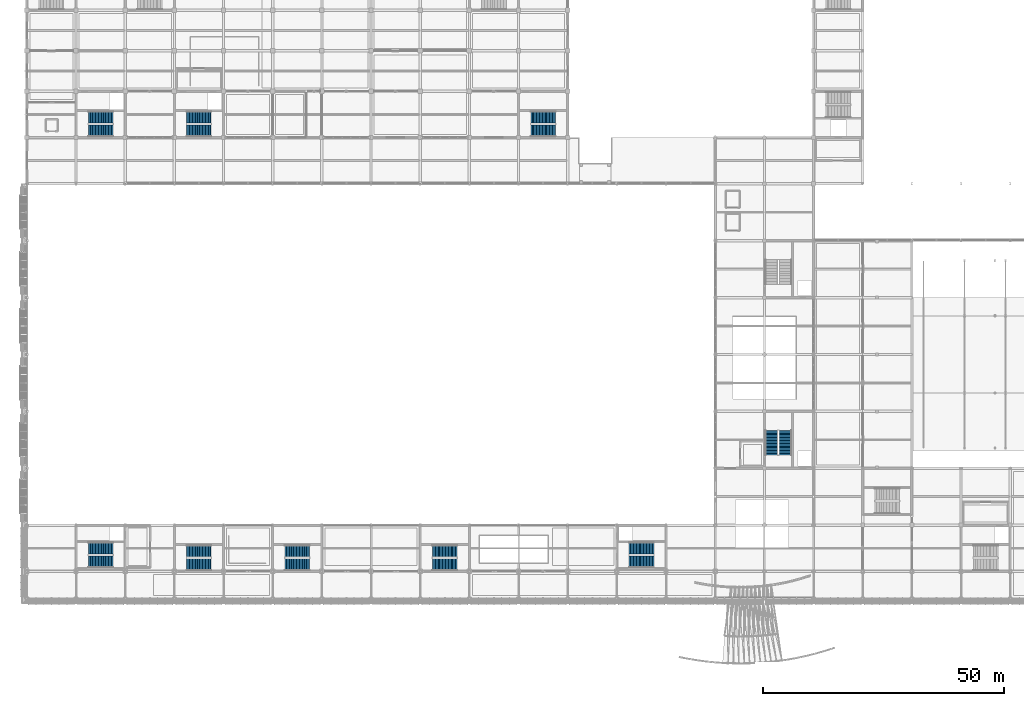
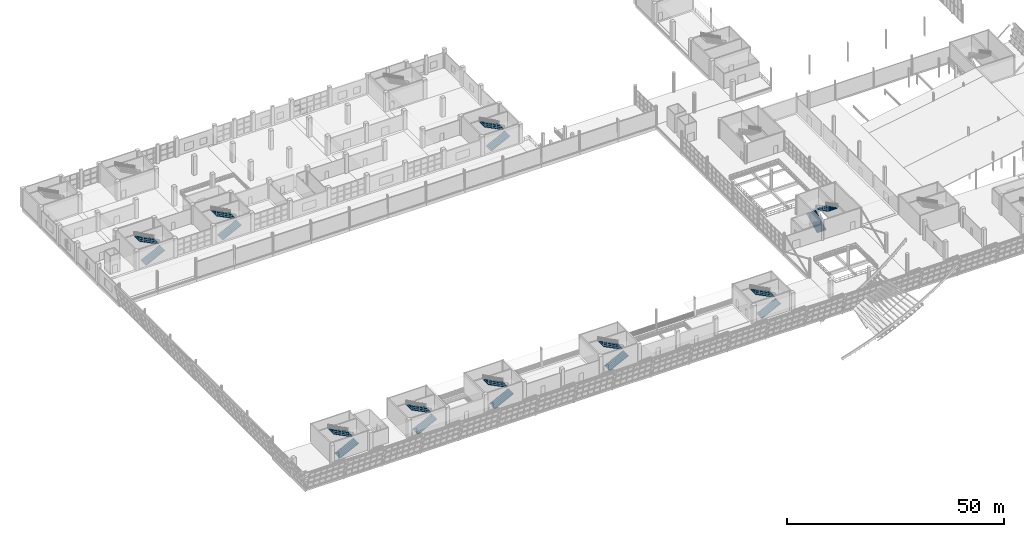
# One storey, part 139 of 175: 18 stair flights, 9 elements without a shape of their own.
"""IFC4 building model written with IfcOpenShell, lengths in metres."""

from ifc_helpers import new_model, si_unit, direction, frame, origin, place, context, subcontext, project, spatial, polyline, outline, extrude, material, type_object, element, aggregate, save


model = new_model("IFC4")

# Units and contexts
model_context = context("Model", 3, precision=1e-05, world=origin(), true_north=direction((0.0, 1.0)))
body_context = subcontext(model_context, "Body", "Model", "MODEL_VIEW")
ifc_project = project(units=[si_unit("LENGTHUNIT", "METRE"), si_unit("AREAUNIT", "SQUARE_METRE"), si_unit("VOLUMEUNIT", "CUBIC_METRE"), si_unit("PLANEANGLEUNIT", "RADIAN"), si_unit("MASSUNIT", "GRAM", prefix="KILO")], contexts=[model_context])

# Site, building, storey
site_placement = place(None, origin())
site = spatial("IfcSite", under=ifc_project, at=site_placement, CompositionType="ELEMENT")
building_placement = place(site_placement, origin())
building = spatial("IfcBuilding", under=site, at=building_placement, Name="Brelvane Convention Centre", CompositionType="ELEMENT")
storey_placement = place(building_placement, frame((0.0, 0.0, 5.39990234375)))
storey = spatial("IfcBuildingStorey", under=building, at=storey_placement, Name="L01", CompositionType="ELEMENT", Elevation=5.39990234375)

# Stair, stair flights
ifc_material_1 = material(Name="Concrete M40", Category="concrete")
stair_type_1 = type_object("IfcStairType", Name="Exit Stair ST-ASM", PredefinedType="HALF_TURN_STAIR", material=ifc_material_1)
stair_1_placement = place(storey_placement, origin())
stair_1 = element("IfcStair", 1, at=stair_1_placement, inside=storey, type_object=stair_type_1, Name="Exit Stair ST-03 (L01 to L02)", PredefinedType="HALF_TURN_STAIR")
ifc_material_2 = material(Name="Concrete M40", Category="concrete")
stair_flight_type_1 = type_object("IfcStairFlightType", Name="Stair Flight SF-A18", PredefinedType="STRAIGHT", material=ifc_material_2)
stair_flight_1_placement = place(storey_placement, frame((154.47998046875, 43.35009765625, 0.0), z_axis=(0.0, 0.0, 1.0), x_axis=(0.0, 1.0, 0.0)))
stair_flight_1 = element("IfcStairFlight", 2, at=stair_flight_1_placement, type_object=stair_flight_type_1, Name="Stair ST-03 L01 Flight 1", NumberOfRisers=18, NumberOfTreads=17, PredefinedType="STRAIGHT", RiserHeight=0.15, TreadLength=0.3, context=body_context, shape_type="SweptSolid", body=[
    extrude(outline(polyline([(0.0, 0.0), (0.0, 0.14990234375), (0.300048828125, 0.14990234375), (0.300048828125, 0.300048828125), (0.60009765625, 0.300048828125), (0.60009765625, 0.449951171875), (0.89990234375, 0.449951171875), (0.89990234375, 0.60009765625), (1.199951171875, 0.60009765625), (1.199951171875, 0.75), (1.5, 0.75), (1.5, 0.89990234375), (1.800048828125, 0.89990234375), (1.800048828125, 1.050048828125), (2.10009765625, 1.050048828125), (2.10009765625, 1.199951171875), (2.39990234375, 1.199951171875), (2.39990234375, 1.35009765625), (2.699951171875, 1.35009765625), (2.699951171875, 1.5), (3.0, 1.5), (3.0, 1.64990234375), (3.300048828125, 1.64990234375), (3.300048828125, 1.800048828125), (3.60009765625, 1.800048828125), (3.60009765625, 1.949951171875), (3.89990234375, 1.949951171875), (3.89990234375, 2.10009765625), (4.199951171875, 2.10009765625), (4.199951171875, 2.25), (4.5, 2.25), (4.5, 2.39990234375), (4.800048828125, 2.39990234375), (4.800048828125, 2.550048828125), (5.10009765625, 2.550048828125), (5.10009765625, 2.699951171875), (5.10009765625, 2.348876953125), (0.40234375, 0.0), (0.0, 0.0)])), frame((0.0, 1.239990234375, 0.0), z_axis=(0.0, -1.0, 0.0), x_axis=(1.0, 0.0, 0.0)), (0.0, 0.0, 1.0), 2.47998046875),
])
stair_flight_2_placement = place(storey_placement, frame((157.320068359375, 48.449951171875, 2.7001953125), z_axis=(0.0, 0.0, 1.0), x_axis=(0.0, -1.0, 0.0)))
stair_flight_2 = element("IfcStairFlight", 3, at=stair_flight_2_placement, type_object=stair_flight_type_1, Name="Stair ST-03 L01 Flight 2", NumberOfRisers=18, NumberOfTreads=17, PredefinedType="STRAIGHT", RiserHeight=0.15, TreadLength=0.3, context=body_context, shape_type="SweptSolid", body=[
    extrude(outline(polyline([(0.0, 0.0), (0.0, 0.14990234375), (0.300048828125, 0.14990234375), (0.300048828125, 0.300048828125), (0.60009765625, 0.300048828125), (0.60009765625, 0.449951171875), (0.89990234375, 0.449951171875), (0.89990234375, 0.60009765625), (1.199951171875, 0.60009765625), (1.199951171875, 0.75), (1.5, 0.75), (1.5, 0.89990234375), (1.800048828125, 0.89990234375), (1.800048828125, 1.050048828125), (2.10009765625, 1.050048828125), (2.10009765625, 1.199951171875), (2.39990234375, 1.199951171875), (2.39990234375, 1.35009765625), (2.699951171875, 1.35009765625), (2.699951171875, 1.5), (3.0, 1.5), (3.0, 1.64990234375), (3.300048828125, 1.64990234375), (3.300048828125, 1.800048828125), (3.60009765625, 1.800048828125), (3.60009765625, 1.949951171875), (3.89990234375, 1.949951171875), (3.89990234375, 2.10009765625), (4.199951171875, 2.10009765625), (4.199951171875, 2.25), (4.5, 2.25), (4.5, 2.39990234375), (4.800048828125, 2.39990234375), (4.800048828125, 2.550048828125), (5.10009765625, 2.550048828125), (5.10009765625, 2.699951171875), (5.10009765625, 2.348876953125), (0.40234375, 0.0), (0.0, 0.0)])), frame((0.0, 1.239990234375, 0.0), z_axis=(0.0, -1.0, 0.0), x_axis=(1.0, 0.0, 0.0)), (0.0, 0.0, 1.0), 2.47998046875),
])
aggregate(stair_1, [stair_flight_1, stair_flight_2])

ifc_material_3 = material(Name="Concrete M40", Category="concrete")
stair_type_2 = type_object("IfcStairType", Name="Exit Stair ST-CORE", PredefinedType="HALF_TURN_STAIR", material=ifc_material_3)
stair_2_placement = place(storey_placement, origin())
stair_2 = element("IfcStair", 4, at=stair_2_placement, inside=storey, type_object=stair_type_2, Name="Exit Stair ST-01 (L01 to L02)", PredefinedType="HALF_TURN_STAIR")
ifc_material_4 = material(Name="Concrete M40", Category="concrete")
stair_flight_type_2 = type_object("IfcStairFlightType", Name="Stair Flight SF-C18", PredefinedType="STRAIGHT", material=ifc_material_4)
stair_flight_3_placement = place(storey_placement, frame((12.75, 21.22998046875, 0.0), z_axis=(0.0, 0.0, 1.0), x_axis=(1.0, 0.0, 0.0)))
stair_flight_3 = element("IfcStairFlight", 5, at=stair_flight_3_placement, type_object=stair_flight_type_2, Name="Stair ST-01 L01 Flight 1", NumberOfRisers=18, NumberOfTreads=17, PredefinedType="STRAIGHT", RiserHeight=0.15, TreadLength=0.3, context=body_context, shape_type="SweptSolid", body=[
    extrude(outline(polyline([(0.0, 0.0), (0.0, 0.14990234375), (0.300048828125, 0.14990234375), (0.300048828125, 0.300048828125), (0.60009765625, 0.300048828125), (0.60009765625, 0.449951171875), (0.89990234375, 0.449951171875), (0.89990234375, 0.60009765625), (1.199951171875, 0.60009765625), (1.199951171875, 0.75), (1.5, 0.75), (1.5, 0.89990234375), (1.800048828125, 0.89990234375), (1.800048828125, 1.050048828125), (2.10009765625, 1.050048828125), (2.10009765625, 1.199951171875), (2.39990234375, 1.199951171875), (2.39990234375, 1.35009765625), (2.699951171875, 1.35009765625), (2.699951171875, 1.5), (3.0, 1.5), (3.0, 1.64990234375), (3.300048828125, 1.64990234375), (3.300048828125, 1.800048828125), (3.60009765625, 1.800048828125), (3.60009765625, 1.949951171875), (3.89990234375, 1.949951171875), (3.89990234375, 2.10009765625), (4.199951171875, 2.10009765625), (4.199951171875, 2.25), (4.5, 2.25), (4.5, 2.39990234375), (4.800048828125, 2.39990234375), (4.800048828125, 2.550048828125), (5.10009765625, 2.550048828125), (5.10009765625, 2.699951171875), (5.10009765625, 2.348876953125), (0.40234375, 0.0), (0.0, 0.0)])), frame((0.0, 1.18994140625, 0.0), z_axis=(0.0, -1.0, 0.0), x_axis=(1.0, 0.0, 0.0)), (0.0, 0.0, 1.0), 2.3798828125),
])
stair_flight_4_placement = place(storey_placement, frame((17.85009765625, 23.969970703125, 2.7001953125), z_axis=(0.0, 0.0, 1.0), x_axis=(-1.0, 0.0, 0.0)))
stair_flight_4 = element("IfcStairFlight", 6, at=stair_flight_4_placement, type_object=stair_flight_type_2, Name="Stair ST-01 L01 Flight 2", NumberOfRisers=18, NumberOfTreads=17, PredefinedType="STRAIGHT", RiserHeight=0.15, TreadLength=0.3, context=body_context, shape_type="SweptSolid", body=[
    extrude(outline(polyline([(0.0, 0.0), (0.0, 0.14990234375), (0.300048828125, 0.14990234375), (0.300048828125, 0.300048828125), (0.60009765625, 0.300048828125), (0.60009765625, 0.449951171875), (0.89990234375, 0.449951171875), (0.89990234375, 0.60009765625), (1.199951171875, 0.60009765625), (1.199951171875, 0.75), (1.5, 0.75), (1.5, 0.89990234375), (1.800048828125, 0.89990234375), (1.800048828125, 1.050048828125), (2.10009765625, 1.050048828125), (2.10009765625, 1.199951171875), (2.39990234375, 1.199951171875), (2.39990234375, 1.35009765625), (2.699951171875, 1.35009765625), (2.699951171875, 1.5), (3.0, 1.5), (3.0, 1.64990234375), (3.300048828125, 1.64990234375), (3.300048828125, 1.800048828125), (3.60009765625, 1.800048828125), (3.60009765625, 1.949951171875), (3.89990234375, 1.949951171875), (3.89990234375, 2.10009765625), (4.199951171875, 2.10009765625), (4.199951171875, 2.25), (4.5, 2.25), (4.5, 2.39990234375), (4.800048828125, 2.39990234375), (4.800048828125, 2.550048828125), (5.10009765625, 2.550048828125), (5.10009765625, 2.699951171875), (5.10009765625, 2.348876953125), (0.40234375, 0.0), (0.0, 0.0)])), frame((0.0, 1.18994140625, 0.0), z_axis=(0.0, -1.0, 0.0), x_axis=(1.0, 0.0, 0.0)), (0.0, 0.0, 1.0), 2.3798828125),
])
aggregate(stair_2, [stair_flight_3, stair_flight_4])

stair_3_placement = place(storey_placement, origin())
stair_3 = element("IfcStair", 7, at=stair_3_placement, inside=storey, type_object=stair_type_2, Name="Exit Stair ST-02 (L01 to L02)", PredefinedType="HALF_TURN_STAIR")
stair_flight_5_placement = place(storey_placement, frame((124.949951171875, 21.22998046875, 0.0), z_axis=(0.0, 0.0, 1.0), x_axis=(1.0, 0.0, 0.0)))
stair_flight_5 = element("IfcStairFlight", 8, at=stair_flight_5_placement, type_object=stair_flight_type_2, Name="Stair ST-02 L01 Flight 1", NumberOfRisers=18, NumberOfTreads=17, PredefinedType="STRAIGHT", RiserHeight=0.15, TreadLength=0.3, context=body_context, shape_type="SweptSolid", body=[
    extrude(outline(polyline([(0.0, 0.0), (0.0, 0.14990234375), (0.300048828125, 0.14990234375), (0.300048828125, 0.300048828125), (0.60009765625, 0.300048828125), (0.60009765625, 0.449951171875), (0.89990234375, 0.449951171875), (0.89990234375, 0.60009765625), (1.199951171875, 0.60009765625), (1.199951171875, 0.75), (1.5, 0.75), (1.5, 0.89990234375), (1.800048828125, 0.89990234375), (1.800048828125, 1.050048828125), (2.10009765625, 1.050048828125), (2.10009765625, 1.199951171875), (2.39990234375, 1.199951171875), (2.39990234375, 1.35009765625), (2.699951171875, 1.35009765625), (2.699951171875, 1.5), (3.0, 1.5), (3.0, 1.64990234375), (3.300048828125, 1.64990234375), (3.300048828125, 1.800048828125), (3.60009765625, 1.800048828125), (3.60009765625, 1.949951171875), (3.89990234375, 1.949951171875), (3.89990234375, 2.10009765625), (4.199951171875, 2.10009765625), (4.199951171875, 2.25), (4.5, 2.25), (4.5, 2.39990234375), (4.800048828125, 2.39990234375), (4.800048828125, 2.550048828125), (5.10009765625, 2.550048828125), (5.10009765625, 2.699951171875), (5.10009765625, 2.348876953125), (0.40234375, 0.0), (0.0, 0.0)])), frame((0.0, 1.18994140625, 0.0), z_axis=(0.0, -1.0, 0.0), x_axis=(1.0, 0.0, 0.0)), (0.0, 0.0, 1.0), 2.3798828125),
])
stair_flight_6_placement = place(storey_placement, frame((130.050048828125, 23.969970703125, 2.7001953125), z_axis=(0.0, 0.0, 1.0), x_axis=(-1.0, 0.0, 0.0)))
stair_flight_6 = element("IfcStairFlight", 9, at=stair_flight_6_placement, type_object=stair_flight_type_2, Name="Stair ST-02 L01 Flight 2", NumberOfRisers=18, NumberOfTreads=17, PredefinedType="STRAIGHT", RiserHeight=0.15, TreadLength=0.3, context=body_context, shape_type="SweptSolid", body=[
    extrude(outline(polyline([(0.0, 0.0), (0.0, 0.14990234375), (0.300048828125, 0.14990234375), (0.300048828125, 0.300048828125), (0.60009765625, 0.300048828125), (0.60009765625, 0.449951171875), (0.89990234375, 0.449951171875), (0.89990234375, 0.60009765625), (1.199951171875, 0.60009765625), (1.199951171875, 0.75), (1.5, 0.75), (1.5, 0.89990234375), (1.800048828125, 0.89990234375), (1.800048828125, 1.050048828125), (2.10009765625, 1.050048828125), (2.10009765625, 1.199951171875), (2.39990234375, 1.199951171875), (2.39990234375, 1.35009765625), (2.699951171875, 1.35009765625), (2.699951171875, 1.5), (3.0, 1.5), (3.0, 1.64990234375), (3.300048828125, 1.64990234375), (3.300048828125, 1.800048828125), (3.60009765625, 1.800048828125), (3.60009765625, 1.949951171875), (3.89990234375, 1.949951171875), (3.89990234375, 2.10009765625), (4.199951171875, 2.10009765625), (4.199951171875, 2.25), (4.5, 2.25), (4.5, 2.39990234375), (4.800048828125, 2.39990234375), (4.800048828125, 2.550048828125), (5.10009765625, 2.550048828125), (5.10009765625, 2.699951171875), (5.10009765625, 2.348876953125), (0.40234375, 0.0), (0.0, 0.0)])), frame((0.0, 1.18994140625, 0.0), z_axis=(0.0, -1.0, 0.0), x_axis=(1.0, 0.0, 0.0)), (0.0, 0.0, 1.0), 2.3798828125),
])
aggregate(stair_3, [stair_flight_5, stair_flight_6])

stair_4_placement = place(storey_placement, origin())
stair_4 = element("IfcStair", 10, at=stair_4_placement, inside=storey, type_object=stair_type_2, Name="Exit Stair ST-06 (L01 to L02)", PredefinedType="HALF_TURN_STAIR")
stair_flight_7_placement = place(storey_placement, frame((12.75, 110.6298828125, 0.0), z_axis=(0.0, 0.0, 1.0), x_axis=(1.0, 0.0, 0.0)))
stair_flight_7 = element("IfcStairFlight", 11, at=stair_flight_7_placement, type_object=stair_flight_type_2, Name="Stair ST-06 L01 Flight 1", NumberOfRisers=18, NumberOfTreads=17, PredefinedType="STRAIGHT", RiserHeight=0.15, TreadLength=0.3, context=body_context, shape_type="SweptSolid", body=[
    extrude(outline(polyline([(0.0, 0.0), (0.0, 0.14990234375), (0.300048828125, 0.14990234375), (0.300048828125, 0.300048828125), (0.60009765625, 0.300048828125), (0.60009765625, 0.449951171875), (0.89990234375, 0.449951171875), (0.89990234375, 0.60009765625), (1.199951171875, 0.60009765625), (1.199951171875, 0.75), (1.5, 0.75), (1.5, 0.89990234375), (1.800048828125, 0.89990234375), (1.800048828125, 1.050048828125), (2.10009765625, 1.050048828125), (2.10009765625, 1.199951171875), (2.39990234375, 1.199951171875), (2.39990234375, 1.35009765625), (2.699951171875, 1.35009765625), (2.699951171875, 1.5), (3.0, 1.5), (3.0, 1.64990234375), (3.300048828125, 1.64990234375), (3.300048828125, 1.800048828125), (3.60009765625, 1.800048828125), (3.60009765625, 1.949951171875), (3.89990234375, 1.949951171875), (3.89990234375, 2.10009765625), (4.199951171875, 2.10009765625), (4.199951171875, 2.25), (4.5, 2.25), (4.5, 2.39990234375), (4.800048828125, 2.39990234375), (4.800048828125, 2.550048828125), (5.10009765625, 2.550048828125), (5.10009765625, 2.699951171875), (5.10009765625, 2.348876953125), (0.40234375, 0.0), (0.0, 0.0)])), frame((0.0, 1.18994140625, 0.0), z_axis=(0.0, -1.0, 0.0), x_axis=(1.0, 0.0, 0.0)), (0.0, 0.0, 1.0), 2.3798828125),
])
stair_flight_8_placement = place(storey_placement, frame((17.85009765625, 113.3701171875, 2.7001953125), z_axis=(0.0, 0.0, 1.0), x_axis=(-1.0, 0.0, 0.0)))
stair_flight_8 = element("IfcStairFlight", 12, at=stair_flight_8_placement, type_object=stair_flight_type_2, Name="Stair ST-06 L01 Flight 2", NumberOfRisers=18, NumberOfTreads=17, PredefinedType="STRAIGHT", RiserHeight=0.15, TreadLength=0.3, context=body_context, shape_type="SweptSolid", body=[
    extrude(outline(polyline([(0.0, 0.0), (0.0, 0.14990234375), (0.300048828125, 0.14990234375), (0.300048828125, 0.300048828125), (0.60009765625, 0.300048828125), (0.60009765625, 0.449951171875), (0.89990234375, 0.449951171875), (0.89990234375, 0.60009765625), (1.199951171875, 0.60009765625), (1.199951171875, 0.75), (1.5, 0.75), (1.5, 0.89990234375), (1.800048828125, 0.89990234375), (1.800048828125, 1.050048828125), (2.10009765625, 1.050048828125), (2.10009765625, 1.199951171875), (2.39990234375, 1.199951171875), (2.39990234375, 1.35009765625), (2.699951171875, 1.35009765625), (2.699951171875, 1.5), (3.0, 1.5), (3.0, 1.64990234375), (3.300048828125, 1.64990234375), (3.300048828125, 1.800048828125), (3.60009765625, 1.800048828125), (3.60009765625, 1.949951171875), (3.89990234375, 1.949951171875), (3.89990234375, 2.10009765625), (4.199951171875, 2.10009765625), (4.199951171875, 2.25), (4.5, 2.25), (4.5, 2.39990234375), (4.800048828125, 2.39990234375), (4.800048828125, 2.550048828125), (5.10009765625, 2.550048828125), (5.10009765625, 2.699951171875), (5.10009765625, 2.348876953125), (0.40234375, 0.0), (0.0, 0.0)])), frame((0.0, 1.18994140625, 0.0), z_axis=(0.0, -1.0, 0.0), x_axis=(1.0, 0.0, 0.0)), (0.0, 0.0, 1.0), 2.3798828125),
])
aggregate(stair_4, [stair_flight_7, stair_flight_8])

stair_5_placement = place(storey_placement, origin())
stair_5 = element("IfcStair", 13, at=stair_5_placement, inside=storey, type_object=stair_type_2, Name="Exit Stair ST-07 (L01 to L02)", PredefinedType="HALF_TURN_STAIR")
stair_flight_9_placement = place(storey_placement, frame((33.14990234375, 110.6298828125, 0.0), z_axis=(0.0, 0.0, 1.0), x_axis=(1.0, 0.0, 0.0)))
stair_flight_9 = element("IfcStairFlight", 14, at=stair_flight_9_placement, type_object=stair_flight_type_2, Name="Stair ST-07 L01 Flight 1", NumberOfRisers=18, NumberOfTreads=17, PredefinedType="STRAIGHT", RiserHeight=0.15, TreadLength=0.3, context=body_context, shape_type="SweptSolid", body=[
    extrude(outline(polyline([(0.0, 0.0), (0.0, 0.14990234375), (0.300048828125, 0.14990234375), (0.300048828125, 0.300048828125), (0.60009765625, 0.300048828125), (0.60009765625, 0.449951171875), (0.89990234375, 0.449951171875), (0.89990234375, 0.60009765625), (1.199951171875, 0.60009765625), (1.199951171875, 0.75), (1.5, 0.75), (1.5, 0.89990234375), (1.800048828125, 0.89990234375), (1.800048828125, 1.050048828125), (2.10009765625, 1.050048828125), (2.10009765625, 1.199951171875), (2.39990234375, 1.199951171875), (2.39990234375, 1.35009765625), (2.699951171875, 1.35009765625), (2.699951171875, 1.5), (3.0, 1.5), (3.0, 1.64990234375), (3.300048828125, 1.64990234375), (3.300048828125, 1.800048828125), (3.60009765625, 1.800048828125), (3.60009765625, 1.949951171875), (3.89990234375, 1.949951171875), (3.89990234375, 2.10009765625), (4.199951171875, 2.10009765625), (4.199951171875, 2.25), (4.5, 2.25), (4.5, 2.39990234375), (4.800048828125, 2.39990234375), (4.800048828125, 2.550048828125), (5.10009765625, 2.550048828125), (5.10009765625, 2.699951171875), (5.10009765625, 2.348876953125), (0.40234375, 0.0), (0.0, 0.0)])), frame((0.0, 1.18994140625, 0.0), z_axis=(0.0, -1.0, 0.0), x_axis=(1.0, 0.0, 0.0)), (0.0, 0.0, 1.0), 2.3798828125),
])
stair_flight_10_placement = place(storey_placement, frame((38.25, 113.3701171875, 2.7001953125), z_axis=(0.0, 0.0, 1.0), x_axis=(-1.0, 0.0, 0.0)))
stair_flight_10 = element("IfcStairFlight", 15, at=stair_flight_10_placement, type_object=stair_flight_type_2, Name="Stair ST-07 L01 Flight 2", NumberOfRisers=18, NumberOfTreads=17, PredefinedType="STRAIGHT", RiserHeight=0.15, TreadLength=0.3, context=body_context, shape_type="SweptSolid", body=[
    extrude(outline(polyline([(0.0, 0.0), (0.0, 0.14990234375), (0.300048828125, 0.14990234375), (0.300048828125, 0.300048828125), (0.60009765625, 0.300048828125), (0.60009765625, 0.449951171875), (0.89990234375, 0.449951171875), (0.89990234375, 0.60009765625), (1.199951171875, 0.60009765625), (1.199951171875, 0.75), (1.5, 0.75), (1.5, 0.89990234375), (1.800048828125, 0.89990234375), (1.800048828125, 1.050048828125), (2.10009765625, 1.050048828125), (2.10009765625, 1.199951171875), (2.39990234375, 1.199951171875), (2.39990234375, 1.35009765625), (2.699951171875, 1.35009765625), (2.699951171875, 1.5), (3.0, 1.5), (3.0, 1.64990234375), (3.300048828125, 1.64990234375), (3.300048828125, 1.800048828125), (3.60009765625, 1.800048828125), (3.60009765625, 1.949951171875), (3.89990234375, 1.949951171875), (3.89990234375, 2.10009765625), (4.199951171875, 2.10009765625), (4.199951171875, 2.25), (4.5, 2.25), (4.5, 2.39990234375), (4.800048828125, 2.39990234375), (4.800048828125, 2.550048828125), (5.10009765625, 2.550048828125), (5.10009765625, 2.699951171875), (5.10009765625, 2.348876953125), (0.40234375, 0.0), (0.0, 0.0)])), frame((0.0, 1.18994140625, 0.0), z_axis=(0.0, -1.0, 0.0), x_axis=(1.0, 0.0, 0.0)), (0.0, 0.0, 1.0), 2.3798828125),
])
aggregate(stair_5, [stair_flight_9, stair_flight_10])

stair_6_placement = place(storey_placement, origin())
stair_6 = element("IfcStair", 16, at=stair_6_placement, inside=storey, type_object=stair_type_2, Name="Exit Stair ST-09 (L01 to L02)", PredefinedType="HALF_TURN_STAIR")
stair_flight_11_placement = place(storey_placement, frame((53.550048828125, 20.6298828125, 0.0), z_axis=(0.0, 0.0, 1.0), x_axis=(1.0, 0.0, 0.0)))
stair_flight_11 = element("IfcStairFlight", 17, at=stair_flight_11_placement, type_object=stair_flight_type_2, Name="Stair ST-09 L01 Flight 1", NumberOfRisers=18, NumberOfTreads=17, PredefinedType="STRAIGHT", RiserHeight=0.15, TreadLength=0.3, context=body_context, shape_type="SweptSolid", body=[
    extrude(outline(polyline([(0.0, 0.0), (0.0, 0.14990234375), (0.300048828125, 0.14990234375), (0.300048828125, 0.300048828125), (0.60009765625, 0.300048828125), (0.60009765625, 0.449951171875), (0.89990234375, 0.449951171875), (0.89990234375, 0.60009765625), (1.199951171875, 0.60009765625), (1.199951171875, 0.75), (1.5, 0.75), (1.5, 0.89990234375), (1.800048828125, 0.89990234375), (1.800048828125, 1.050048828125), (2.10009765625, 1.050048828125), (2.10009765625, 1.199951171875), (2.39990234375, 1.199951171875), (2.39990234375, 1.35009765625), (2.699951171875, 1.35009765625), (2.699951171875, 1.5), (3.0, 1.5), (3.0, 1.64990234375), (3.300048828125, 1.64990234375), (3.300048828125, 1.800048828125), (3.60009765625, 1.800048828125), (3.60009765625, 1.949951171875), (3.89990234375, 1.949951171875), (3.89990234375, 2.10009765625), (4.199951171875, 2.10009765625), (4.199951171875, 2.25), (4.5, 2.25), (4.5, 2.39990234375), (4.800048828125, 2.39990234375), (4.800048828125, 2.550048828125), (5.10009765625, 2.550048828125), (5.10009765625, 2.699951171875), (5.10009765625, 2.348876953125), (0.40234375, 0.0), (0.0, 0.0)])), frame((0.0, 1.18994140625, 0.0), z_axis=(0.0, -1.0, 0.0), x_axis=(1.0, 0.0, 0.0)), (0.0, 0.0, 1.0), 2.3798828125),
])
stair_flight_12_placement = place(storey_placement, frame((58.64990234375, 23.3701171875, 2.7001953125), z_axis=(0.0, 0.0, 1.0), x_axis=(-1.0, 0.0, 0.0)))
stair_flight_12 = element("IfcStairFlight", 18, at=stair_flight_12_placement, type_object=stair_flight_type_2, Name="Stair ST-09 L01 Flight 2", NumberOfRisers=18, NumberOfTreads=17, PredefinedType="STRAIGHT", RiserHeight=0.15, TreadLength=0.3, context=body_context, shape_type="SweptSolid", body=[
    extrude(outline(polyline([(0.0, 0.0), (0.0, 0.14990234375), (0.300048828125, 0.14990234375), (0.300048828125, 0.300048828125), (0.60009765625, 0.300048828125), (0.60009765625, 0.449951171875), (0.89990234375, 0.449951171875), (0.89990234375, 0.60009765625), (1.199951171875, 0.60009765625), (1.199951171875, 0.75), (1.5, 0.75), (1.5, 0.89990234375), (1.800048828125, 0.89990234375), (1.800048828125, 1.050048828125), (2.10009765625, 1.050048828125), (2.10009765625, 1.199951171875), (2.39990234375, 1.199951171875), (2.39990234375, 1.35009765625), (2.699951171875, 1.35009765625), (2.699951171875, 1.5), (3.0, 1.5), (3.0, 1.64990234375), (3.300048828125, 1.64990234375), (3.300048828125, 1.800048828125), (3.60009765625, 1.800048828125), (3.60009765625, 1.949951171875), (3.89990234375, 1.949951171875), (3.89990234375, 2.10009765625), (4.199951171875, 2.10009765625), (4.199951171875, 2.25), (4.5, 2.25), (4.5, 2.39990234375), (4.800048828125, 2.39990234375), (4.800048828125, 2.550048828125), (5.10009765625, 2.550048828125), (5.10009765625, 2.699951171875), (5.10009765625, 2.348876953125), (0.40234375, 0.0), (0.0, 0.0)])), frame((0.0, 1.18994140625, 0.0), z_axis=(0.0, -1.0, 0.0), x_axis=(1.0, 0.0, 0.0)), (0.0, 0.0, 1.0), 2.3798828125),
])
aggregate(stair_6, [stair_flight_11, stair_flight_12])

stair_7_placement = place(storey_placement, origin())
stair_7 = element("IfcStair", 19, at=stair_7_placement, inside=storey, type_object=stair_type_2, Name="Exit Stair ST-10 (L01 to L02)", PredefinedType="HALF_TURN_STAIR")
stair_flight_13_placement = place(storey_placement, frame((84.14990234375, 20.6298828125, 0.0), z_axis=(0.0, 0.0, 1.0), x_axis=(1.0, 0.0, 0.0)))
stair_flight_13 = element("IfcStairFlight", 20, at=stair_flight_13_placement, type_object=stair_flight_type_2, Name="Stair ST-10 L01 Flight 1", NumberOfRisers=18, NumberOfTreads=17, PredefinedType="STRAIGHT", RiserHeight=0.15, TreadLength=0.3, context=body_context, shape_type="SweptSolid", body=[
    extrude(outline(polyline([(0.0, 0.0), (0.0, 0.14990234375), (0.300048828125, 0.14990234375), (0.300048828125, 0.300048828125), (0.60009765625, 0.300048828125), (0.60009765625, 0.449951171875), (0.89990234375, 0.449951171875), (0.89990234375, 0.60009765625), (1.199951171875, 0.60009765625), (1.199951171875, 0.75), (1.5, 0.75), (1.5, 0.89990234375), (1.800048828125, 0.89990234375), (1.800048828125, 1.050048828125), (2.10009765625, 1.050048828125), (2.10009765625, 1.199951171875), (2.39990234375, 1.199951171875), (2.39990234375, 1.35009765625), (2.699951171875, 1.35009765625), (2.699951171875, 1.5), (3.0, 1.5), (3.0, 1.64990234375), (3.300048828125, 1.64990234375), (3.300048828125, 1.800048828125), (3.60009765625, 1.800048828125), (3.60009765625, 1.949951171875), (3.89990234375, 1.949951171875), (3.89990234375, 2.10009765625), (4.199951171875, 2.10009765625), (4.199951171875, 2.25), (4.5, 2.25), (4.5, 2.39990234375), (4.800048828125, 2.39990234375), (4.800048828125, 2.550048828125), (5.10009765625, 2.550048828125), (5.10009765625, 2.699951171875), (5.10009765625, 2.348876953125), (0.40234375, 0.0), (0.0, 0.0)])), frame((0.0, 1.18994140625, 0.0), z_axis=(0.0, -1.0, 0.0), x_axis=(1.0, 0.0, 0.0)), (0.0, 0.0, 1.0), 2.3798828125),
])
stair_flight_14_placement = place(storey_placement, frame((89.25, 23.3701171875, 2.7001953125), z_axis=(0.0, 0.0, 1.0), x_axis=(-1.0, 0.0, 0.0)))
stair_flight_14 = element("IfcStairFlight", 21, at=stair_flight_14_placement, type_object=stair_flight_type_2, Name="Stair ST-10 L01 Flight 2", NumberOfRisers=18, NumberOfTreads=17, PredefinedType="STRAIGHT", RiserHeight=0.15, TreadLength=0.3, context=body_context, shape_type="SweptSolid", body=[
    extrude(outline(polyline([(0.0, 0.0), (0.0, 0.14990234375), (0.300048828125, 0.14990234375), (0.300048828125, 0.300048828125), (0.60009765625, 0.300048828125), (0.60009765625, 0.449951171875), (0.89990234375, 0.449951171875), (0.89990234375, 0.60009765625), (1.199951171875, 0.60009765625), (1.199951171875, 0.75), (1.5, 0.75), (1.5, 0.89990234375), (1.800048828125, 0.89990234375), (1.800048828125, 1.050048828125), (2.10009765625, 1.050048828125), (2.10009765625, 1.199951171875), (2.39990234375, 1.199951171875), (2.39990234375, 1.35009765625), (2.699951171875, 1.35009765625), (2.699951171875, 1.5), (3.0, 1.5), (3.0, 1.64990234375), (3.300048828125, 1.64990234375), (3.300048828125, 1.800048828125), (3.60009765625, 1.800048828125), (3.60009765625, 1.949951171875), (3.89990234375, 1.949951171875), (3.89990234375, 2.10009765625), (4.199951171875, 2.10009765625), (4.199951171875, 2.25), (4.5, 2.25), (4.5, 2.39990234375), (4.800048828125, 2.39990234375), (4.800048828125, 2.550048828125), (5.10009765625, 2.550048828125), (5.10009765625, 2.699951171875), (5.10009765625, 2.348876953125), (0.40234375, 0.0), (0.0, 0.0)])), frame((0.0, 1.18994140625, 0.0), z_axis=(0.0, -1.0, 0.0), x_axis=(1.0, 0.0, 0.0)), (0.0, 0.0, 1.0), 2.3798828125),
])
aggregate(stair_7, [stair_flight_13, stair_flight_14])

stair_8_placement = place(storey_placement, origin())
stair_8 = element("IfcStair", 22, at=stair_8_placement, inside=storey, type_object=stair_type_2, Name="Exit Stair ST-19 (L01 to L02)", PredefinedType="HALF_TURN_STAIR")
stair_flight_15_placement = place(storey_placement, frame((33.14990234375, 20.6298828125, 0.0), z_axis=(0.0, 0.0, 1.0), x_axis=(1.0, 0.0, 0.0)))
stair_flight_15 = element("IfcStairFlight", 23, at=stair_flight_15_placement, type_object=stair_flight_type_2, Name="Stair ST-19 L01 Flight 1", NumberOfRisers=18, NumberOfTreads=17, PredefinedType="STRAIGHT", RiserHeight=0.15, TreadLength=0.3, context=body_context, shape_type="SweptSolid", body=[
    extrude(outline(polyline([(0.0, 0.0), (0.0, 0.14990234375), (0.300048828125, 0.14990234375), (0.300048828125, 0.300048828125), (0.60009765625, 0.300048828125), (0.60009765625, 0.449951171875), (0.89990234375, 0.449951171875), (0.89990234375, 0.60009765625), (1.199951171875, 0.60009765625), (1.199951171875, 0.75), (1.5, 0.75), (1.5, 0.89990234375), (1.800048828125, 0.89990234375), (1.800048828125, 1.050048828125), (2.10009765625, 1.050048828125), (2.10009765625, 1.199951171875), (2.39990234375, 1.199951171875), (2.39990234375, 1.35009765625), (2.699951171875, 1.35009765625), (2.699951171875, 1.5), (3.0, 1.5), (3.0, 1.64990234375), (3.300048828125, 1.64990234375), (3.300048828125, 1.800048828125), (3.60009765625, 1.800048828125), (3.60009765625, 1.949951171875), (3.89990234375, 1.949951171875), (3.89990234375, 2.10009765625), (4.199951171875, 2.10009765625), (4.199951171875, 2.25), (4.5, 2.25), (4.5, 2.39990234375), (4.800048828125, 2.39990234375), (4.800048828125, 2.550048828125), (5.10009765625, 2.550048828125), (5.10009765625, 2.699951171875), (5.10009765625, 2.348876953125), (0.40234375, 0.0), (0.0, 0.0)])), frame((0.0, 1.18994140625, 0.0), z_axis=(0.0, -1.0, 0.0), x_axis=(1.0, 0.0, 0.0)), (0.0, 0.0, 1.0), 2.3798828125),
])
stair_flight_16_placement = place(storey_placement, frame((38.25, 23.3701171875, 2.7001953125), z_axis=(0.0, 0.0, 1.0), x_axis=(-1.0, 0.0, 0.0)))
stair_flight_16 = element("IfcStairFlight", 24, at=stair_flight_16_placement, type_object=stair_flight_type_2, Name="Stair ST-19 L01 Flight 2", NumberOfRisers=18, NumberOfTreads=17, PredefinedType="STRAIGHT", RiserHeight=0.15, TreadLength=0.3, context=body_context, shape_type="SweptSolid", body=[
    extrude(outline(polyline([(0.0, 0.0), (0.0, 0.14990234375), (0.300048828125, 0.14990234375), (0.300048828125, 0.300048828125), (0.60009765625, 0.300048828125), (0.60009765625, 0.449951171875), (0.89990234375, 0.449951171875), (0.89990234375, 0.60009765625), (1.199951171875, 0.60009765625), (1.199951171875, 0.75), (1.5, 0.75), (1.5, 0.89990234375), (1.800048828125, 0.89990234375), (1.800048828125, 1.050048828125), (2.10009765625, 1.050048828125), (2.10009765625, 1.199951171875), (2.39990234375, 1.199951171875), (2.39990234375, 1.35009765625), (2.699951171875, 1.35009765625), (2.699951171875, 1.5), (3.0, 1.5), (3.0, 1.64990234375), (3.300048828125, 1.64990234375), (3.300048828125, 1.800048828125), (3.60009765625, 1.800048828125), (3.60009765625, 1.949951171875), (3.89990234375, 1.949951171875), (3.89990234375, 2.10009765625), (4.199951171875, 2.10009765625), (4.199951171875, 2.25), (4.5, 2.25), (4.5, 2.39990234375), (4.800048828125, 2.39990234375), (4.800048828125, 2.550048828125), (5.10009765625, 2.550048828125), (5.10009765625, 2.699951171875), (5.10009765625, 2.348876953125), (0.40234375, 0.0), (0.0, 0.0)])), frame((0.0, 1.18994140625, 0.0), z_axis=(0.0, -1.0, 0.0), x_axis=(1.0, 0.0, 0.0)), (0.0, 0.0, 1.0), 2.3798828125),
])
aggregate(stair_8, [stair_flight_15, stair_flight_16])

stair_9_placement = place(storey_placement, origin())
stair_9 = element("IfcStair", 25, at=stair_9_placement, inside=storey, type_object=stair_type_2, Name="Exit Stair ST-20 (L01 to L02)", PredefinedType="HALF_TURN_STAIR")
stair_flight_17_placement = place(storey_placement, frame((104.550048828125, 110.6298828125, 0.0), z_axis=(0.0, 0.0, 1.0), x_axis=(1.0, 0.0, 0.0)))
stair_flight_17 = element("IfcStairFlight", 26, at=stair_flight_17_placement, type_object=stair_flight_type_2, Name="Stair ST-20 L01 Flight 1", NumberOfRisers=18, NumberOfTreads=17, PredefinedType="STRAIGHT", RiserHeight=0.15, TreadLength=0.3, context=body_context, shape_type="SweptSolid", body=[
    extrude(outline(polyline([(0.0, 0.0), (0.0, 0.14990234375), (0.300048828125, 0.14990234375), (0.300048828125, 0.300048828125), (0.60009765625, 0.300048828125), (0.60009765625, 0.449951171875), (0.89990234375, 0.449951171875), (0.89990234375, 0.60009765625), (1.199951171875, 0.60009765625), (1.199951171875, 0.75), (1.5, 0.75), (1.5, 0.89990234375), (1.800048828125, 0.89990234375), (1.800048828125, 1.050048828125), (2.10009765625, 1.050048828125), (2.10009765625, 1.199951171875), (2.39990234375, 1.199951171875), (2.39990234375, 1.35009765625), (2.699951171875, 1.35009765625), (2.699951171875, 1.5), (3.0, 1.5), (3.0, 1.64990234375), (3.300048828125, 1.64990234375), (3.300048828125, 1.800048828125), (3.60009765625, 1.800048828125), (3.60009765625, 1.949951171875), (3.89990234375, 1.949951171875), (3.89990234375, 2.10009765625), (4.199951171875, 2.10009765625), (4.199951171875, 2.25), (4.5, 2.25), (4.5, 2.39990234375), (4.800048828125, 2.39990234375), (4.800048828125, 2.550048828125), (5.10009765625, 2.550048828125), (5.10009765625, 2.699951171875), (5.10009765625, 2.348876953125), (0.40234375, 0.0), (0.0, 0.0)])), frame((0.0, 1.18994140625, 0.0), z_axis=(0.0, -1.0, 0.0), x_axis=(1.0, 0.0, 0.0)), (0.0, 0.0, 1.0), 2.3798828125),
])
stair_flight_18_placement = place(storey_placement, frame((109.64990234375, 113.3701171875, 2.7001953125), z_axis=(0.0, 0.0, 1.0), x_axis=(-1.0, 0.0, 0.0)))
stair_flight_18 = element("IfcStairFlight", 27, at=stair_flight_18_placement, type_object=stair_flight_type_2, Name="Stair ST-20 L01 Flight 2", NumberOfRisers=18, NumberOfTreads=17, PredefinedType="STRAIGHT", RiserHeight=0.15, TreadLength=0.3, context=body_context, shape_type="SweptSolid", body=[
    extrude(outline(polyline([(0.0, 0.0), (0.0, 0.14990234375), (0.300048828125, 0.14990234375), (0.300048828125, 0.300048828125), (0.60009765625, 0.300048828125), (0.60009765625, 0.449951171875), (0.89990234375, 0.449951171875), (0.89990234375, 0.60009765625), (1.199951171875, 0.60009765625), (1.199951171875, 0.75), (1.5, 0.75), (1.5, 0.89990234375), (1.800048828125, 0.89990234375), (1.800048828125, 1.050048828125), (2.10009765625, 1.050048828125), (2.10009765625, 1.199951171875), (2.39990234375, 1.199951171875), (2.39990234375, 1.35009765625), (2.699951171875, 1.35009765625), (2.699951171875, 1.5), (3.0, 1.5), (3.0, 1.64990234375), (3.300048828125, 1.64990234375), (3.300048828125, 1.800048828125), (3.60009765625, 1.800048828125), (3.60009765625, 1.949951171875), (3.89990234375, 1.949951171875), (3.89990234375, 2.10009765625), (4.199951171875, 2.10009765625), (4.199951171875, 2.25), (4.5, 2.25), (4.5, 2.39990234375), (4.800048828125, 2.39990234375), (4.800048828125, 2.550048828125), (5.10009765625, 2.550048828125), (5.10009765625, 2.699951171875), (5.10009765625, 2.348876953125), (0.40234375, 0.0), (0.0, 0.0)])), frame((0.0, 1.18994140625, 0.0), z_axis=(0.0, -1.0, 0.0), x_axis=(1.0, 0.0, 0.0)), (0.0, 0.0, 1.0), 2.3798828125),
])
aggregate(stair_9, [stair_flight_17, stair_flight_18])

save(model, "model.ifc")
